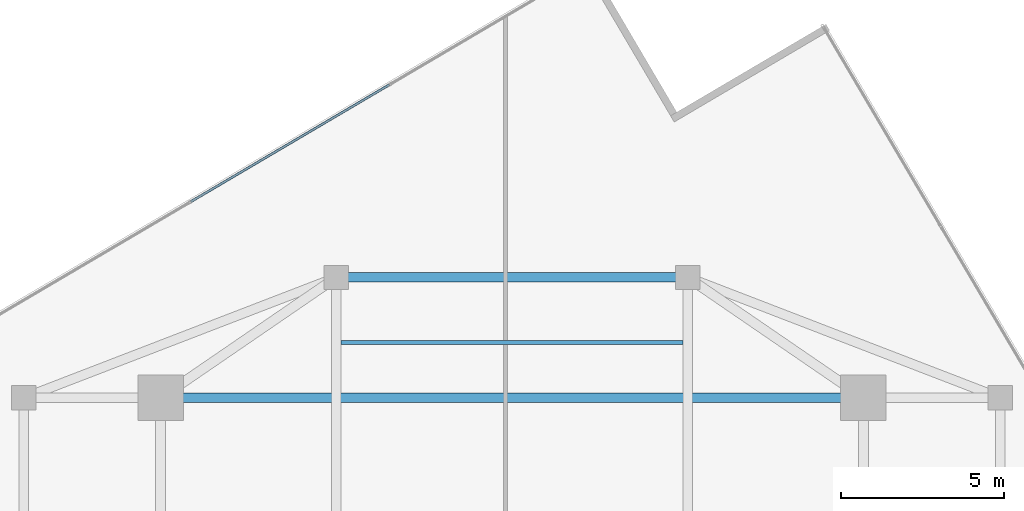
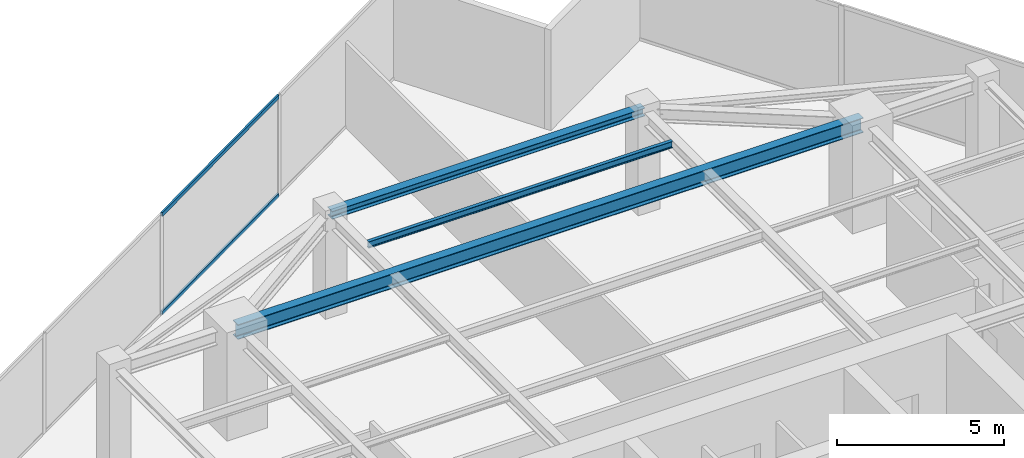
# One storey, part 13 of 20: 3 beams, 2 members, 1 element without a shape of its own.
"""IFC4 building model written with IfcOpenShell, lengths in metres."""

from ifc_helpers import new_model, si_unit, direction, frame, origin, origin_2d, place, context, subcontext, project, spatial, hollow_rectangle, i_section, extrude, source, transform, mapped, material, material_profile, profile_set, type_object, type_shapes, element, aggregate, save


model = new_model("IFC4")

# Units and contexts
model_context = context("Model", 3, precision=1e-05, world=origin(), true_north=direction((0.0, 1.0)))
body_context = subcontext(model_context, "Body", "Model", "MODEL_VIEW")
ifc_project = project(units=[si_unit("LENGTHUNIT", "METRE"), si_unit("AREAUNIT", "SQUARE_METRE"), si_unit("VOLUMEUNIT", "CUBIC_METRE"), si_unit("PLANEANGLEUNIT", "RADIAN"), si_unit("MASSUNIT", "GRAM", prefix="KILO")], contexts=[model_context])

# Site, building, storey
site_placement = place(None, origin())
site = spatial("IfcSite", under=ifc_project, at=site_placement, CompositionType="ELEMENT")
building_placement = place(site_placement, origin())
building = spatial("IfcBuilding", under=site, at=building_placement, Name="Krantzveldt Concourse Tower", CompositionType="ELEMENT")
storey_placement = place(building_placement, frame((0.0, 0.0, 299.0)))
storey = spatial("IfcBuildingStorey", under=building, at=storey_placement, Name="L73", CompositionType="ELEMENT", Elevation=299.0)

# Beams
ifc_material_1 = material(Name="Steel S355JR", Category="steel")
ifc_material_profile_1 = material_profile(ifc_material_1, i_section(OverallWidth=0.300048828125, OverallDepth=0.5400390625, WebThickness=0.012451171875, FlangeThickness=0.02392578125, FilletRadius=0.027099609375, at=origin_2d()), Name="Steel S355JR", Category="steel")
ifc_profile_set_1 = profile_set([ifc_material_profile_1], Name="Steel S355JR - HEA 550")
beam_type_1 = type_object("IfcBeamType", Name="BM-B-HEA550", PredefinedType="BEAM", material=ifc_profile_set_1)
shared_shape_1 = source(origin(), body_context, "Body", "SweptSolid", [
    extrude(i_section(OverallWidth=0.300048828125, OverallDepth=0.5400390625, WebThickness=0.012451171875, FlangeThickness=0.02392578125, FilletRadius=0.027099609375, at=origin_2d()), origin(), (0.0, 0.0, 1.0), 21.60009765625),
])
type_shapes(beam_type_1, [shared_shape_1])
beam_1_placement = place(storey_placement, frame((25.199951171875, 37.5, 3.39990234375), z_axis=(1.0, 0.0, 0.0), x_axis=(0.0, 1.0, 0.0)))
element("IfcBeam", 1, at=beam_1_placement, inside=storey, type_object=beam_type_1, Name="L73 Tower Girder BG-MN", PredefinedType="BEAM", context=body_context, shape_type="MappedRepresentation", body=[
    mapped(shared_shape_1, transform((0.0, 0.0, 0.0), x_axis=(1.0, 0.0, 0.0), y_axis=(0.0, 1.0, 0.0), z_axis=(0.0, 0.0, 1.0), scale=1.0)),
])
ifc_material_profile_2 = material_profile(ifc_material_1, i_section(OverallWidth=0.2900390625, OverallDepth=0.2900390625, WebThickness=0.008544921875, FlangeThickness=0.013916015625, FilletRadius=0.027099609375, at=origin_2d()), Name="Steel S355JR", Category="steel")
ifc_profile_set_2 = profile_set([ifc_material_profile_2], Name="Steel S355JR - HEA 300")
beam_type_2 = type_object("IfcBeamType", Name="BM-SP-HEA300", PredefinedType="SPANDREL", material=ifc_profile_set_2)
shared_shape_2 = source(origin(), body_context, "Body", "SweptSolid", [
    extrude(i_section(OverallWidth=0.2900390625, OverallDepth=0.2900390625, WebThickness=0.008544921875, FlangeThickness=0.013916015625, FilletRadius=0.027099609375, at=origin_2d()), origin(), (0.0, 0.0, 1.0), 10.7998046875),
])
type_shapes(beam_type_2, [shared_shape_2])
beam_2_placement = place(storey_placement, frame((30.60009765625, 41.199951171875, 3.52490234375), z_axis=(1.0, 0.0, 0.0), x_axis=(0.0, 1.0, 0.0)))
element("IfcBeam", 2, at=beam_2_placement, inside=storey, type_object=beam_type_2, Name="L73 Tower Girder SP-R04", PredefinedType="SPANDREL", context=body_context, shape_type="MappedRepresentation", body=[
    mapped(shared_shape_2, transform((0.0, 0.0, 0.0), x_axis=(1.0, 0.0, 0.0), y_axis=(0.0, 1.0, 0.0), z_axis=(0.0, 0.0, 1.0), scale=1.0)),
])
ifc_material_profile_3 = material_profile(ifc_material_1, i_section(OverallWidth=0.1201171875, OverallDepth=0.239990234375, WebThickness=0.006103515625, FlangeThickness=0.009765625, FilletRadius=0.014892578125, at=origin_2d()), Name="Steel S355JR", Category="steel")
ifc_profile_set_3 = profile_set([ifc_material_profile_3], Name="Steel S355JR - IPE 240")
beam_type_3 = type_object("IfcBeamType", Name="BM-LN-IPE240", PredefinedType="LINTEL", material=ifc_profile_set_3)
shared_shape_3 = source(origin(), body_context, "Body", "SweptSolid", [
    extrude(i_section(OverallWidth=0.1201171875, OverallDepth=0.239990234375, WebThickness=0.006103515625, FlangeThickness=0.009765625, FilletRadius=0.014892578125, at=origin_2d()), origin(), (0.0, 0.0, 1.0), 10.5),
])
type_shapes(beam_type_3, [shared_shape_3])
beam_3_placement = place(storey_placement, frame((30.75, 39.199951171875, 3.550048828125), z_axis=(1.0, 0.0, 0.0), x_axis=(0.0, 1.0, 0.0)))
element("IfcBeam", 3, at=beam_3_placement, inside=storey, type_object=beam_type_3, Name="L73 Secondary Floor Joist JN-C3", PredefinedType="LINTEL", context=body_context, shape_type="MappedRepresentation", body=[
    mapped(shared_shape_3, transform((0.0, 0.0, 0.0), x_axis=(1.0, 0.0, 0.0), y_axis=(0.0, 1.0, 0.0), z_axis=(0.0, 0.0, 1.0), scale=1.0)),
])

# Curtain wall, members
ifc_material_2 = material(Name="Anodised aluminium 6063-T6", Category="aluminium")
curtain_wall_type = type_object("IfcCurtainWallType", Name="CW4", PredefinedType="USERDEFINED", material=ifc_material_2)
curtain_wall_placement = place(storey_placement, origin())
curtain_wall = element("IfcCurtainWall", 4, at=curtain_wall_placement, inside=storey, type_object=curtain_wall_type, Name="CW-L73-F01", ObjectType="UNITISED CURTAIN WALL", PredefinedType="USERDEFINED")
ifc_material_profile_4 = material_profile(ifc_material_2, hollow_rectangle(XDim=0.070068359375, YDim=0.139892578125, WallThickness=0.0048828125, at=origin_2d()), Name="Anodised aluminium 6063-T6", Category="aluminium")
ifc_profile_set_4 = profile_set([ifc_material_profile_4], Name="Anodised aluminium 6063-T6 - ALU-TRAN 140x70x5")
member_type = type_object("IfcMemberType", Name="CW-TRN-150", PredefinedType="USERDEFINED", material=ifc_profile_set_4)
shared_shape_4 = source(origin(), body_context, "Body", "SweptSolid", [
    extrude(hollow_rectangle(XDim=0.070068359375, YDim=0.139892578125, WallThickness=0.0048828125, at=origin_2d()), origin(), (0.0, 0.0, 1.0), 7.080078125),
])
type_shapes(member_type, [shared_shape_4])
member_1_placement = place(storey_placement, frame((32.228515625, 47.12158203125, 0.034912109375), z_axis=(-0.861621135321, -0.507551986665, 0.0), x_axis=(0.507551986665, -0.861621135321, 0.0)))
member_1 = element("IfcMember", 5, at=member_1_placement, type_object=member_type, Name="CW-Z56 transom 2.1", ObjectType="TRANSOM", PredefinedType="USERDEFINED", context=body_context, shape_type="MappedRepresentation", body=[
    mapped(shared_shape_4, transform((0.0, 0.0, 0.0), x_axis=(1.0, 0.0, 0.0), y_axis=(0.0, 1.0, 0.0), z_axis=(0.0, 0.0, 1.0), scale=1.0)),
])
member_2_placement = place(storey_placement, frame((32.228515625, 47.12158203125, 3.635009765625), z_axis=(-0.861621135321, -0.507551986665, 0.0), x_axis=(0.507551986665, -0.861621135321, 0.0)))
member_2 = element("IfcMember", 6, at=member_2_placement, type_object=member_type, Name="CW-Z56 transom 2.2", ObjectType="TRANSOM", PredefinedType="USERDEFINED", context=body_context, shape_type="MappedRepresentation", body=[
    mapped(shared_shape_4, transform((0.0, 0.0, 0.0), x_axis=(1.0, 0.0, 0.0), y_axis=(0.0, 1.0, 0.0), z_axis=(0.0, 0.0, 1.0), scale=1.0)),
])
aggregate(curtain_wall, [member_1, member_2])

save(model, "model.ifc")
